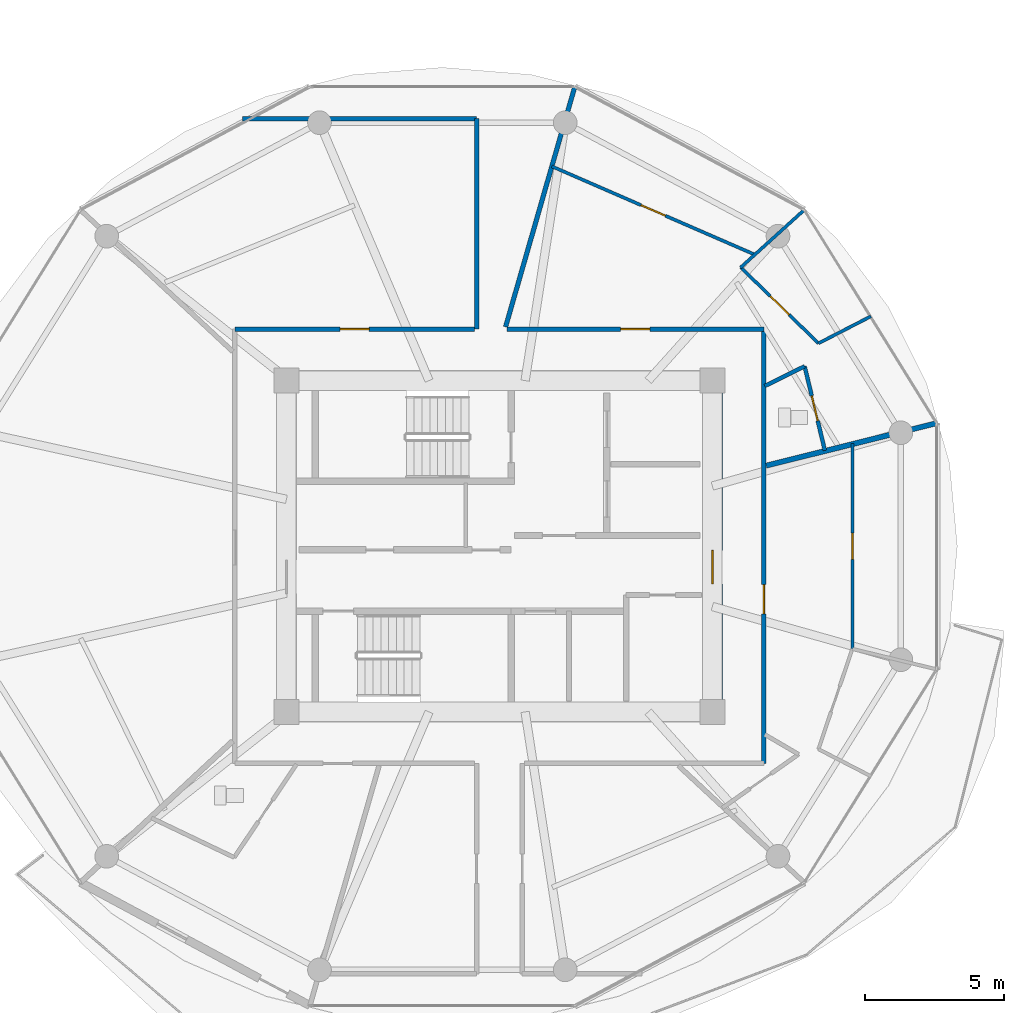
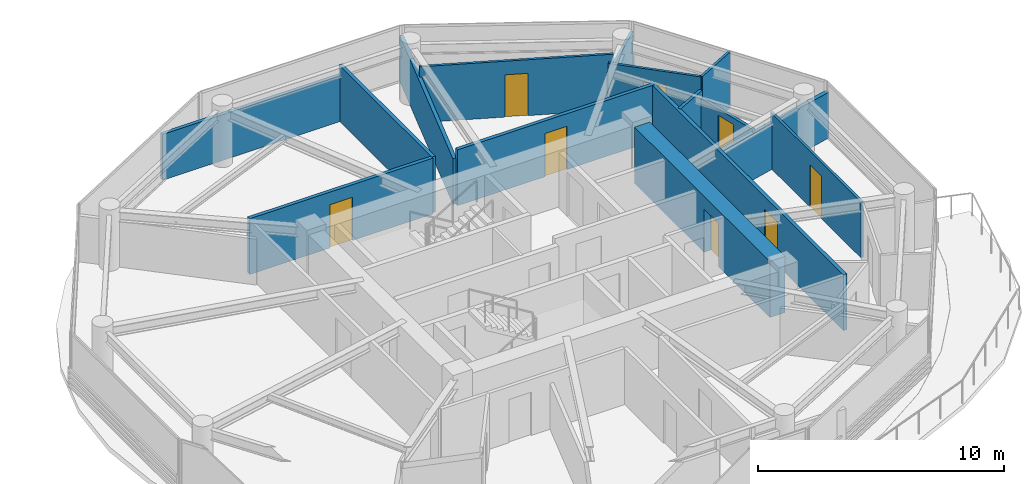
# One storey, part 17 of 25: 15 walls, 8 doors, 8 openings.
"""IFC4 building model written with IfcOpenShell, lengths in metres."""

from ifc_helpers import new_model, si_unit, direction, frame, frame_2d, origin, place, context, subcontext, project, spatial, rectangle, extrude, source, transform, mapped, material, layer, layer_set, type_object, type_shapes, element, fill, save


model = new_model("IFC4")

# Units and contexts
model_context = context("Model", 3, precision=1e-05, world=origin(), true_north=direction((0.0, 1.0)))
body_context = subcontext(model_context, "Body", "Model", "MODEL_VIEW")
ifc_project = project(units=[si_unit("LENGTHUNIT", "METRE"), si_unit("AREAUNIT", "SQUARE_METRE"), si_unit("VOLUMEUNIT", "CUBIC_METRE"), si_unit("PLANEANGLEUNIT", "RADIAN"), si_unit("MASSUNIT", "GRAM", prefix="KILO")], contexts=[model_context])

# Site, building, storey
site_placement = place(None, origin())
site = spatial("IfcSite", under=ifc_project, at=site_placement, CompositionType="ELEMENT")
building_placement = place(site_placement, origin())
building = spatial("IfcBuilding", under=site, at=building_placement, Name="Norrkilde Senior Care Towers", CompositionType="ELEMENT")
storey_placement = place(building_placement, frame((0.0, 0.0, 84.050048828125)))
storey = spatial("IfcBuildingStorey", under=building, at=storey_placement, Name="L25", CompositionType="ELEMENT", Elevation=84.050048828125)

# Wall, opening, door
ifc_material_1 = material(Name="Concrete C60/75", Category="concrete")
ifc_layer_1 = layer(ifc_material_1, 0.719970703125)
ifc_layer_set_1 = layer_set([ifc_layer_1], Name="Concrete C60/75")
wall_type_1 = type_object("IfcWallType", Name="Core Shear Wall Z2 720", PredefinedType="SHEAR", material=ifc_layer_set_1)
shared_shape_1 = source(origin(), body_context, "Body", "SweptSolid", [
    extrude(rectangle(XDim=11.0, YDim=0.719970703125, at=frame_2d((5.5, 0.0))), origin(), (0.0, 0.0, 1.0), 2.7900390625),
])
type_shapes(wall_type_1, [shared_shape_1])
wall_1_placement = place(storey_placement, frame((35.64990234375, 5.5, 0.0), z_axis=(0.0, 0.0, 1.0), x_axis=(0.0, -1.0, 0.0)))
wall_1 = element("IfcWall", 1, at=wall_1_placement, inside=storey, type_object=wall_type_1, Name="L25 Core E East Shear Wall", PredefinedType="SHEAR", context=body_context, shape_type="MappedRepresentation", body=[
    mapped(shared_shape_1, transform((0.0, 0.0, 0.0), x_axis=(1.0, 0.0, 0.0), y_axis=(0.0, 1.0, 0.0), z_axis=(0.0, 0.0, 1.0), scale=1.0)),
])
opening_1_placement = place(wall_1_placement, frame((5.64990234375, 0.0, 0.0)))
opening_1 = element("IfcOpeningElement", 2, at=opening_1_placement, cuts=wall_1, Name="Opening D-04", PredefinedType="OPENING", context=body_context, shape_type="SweptSolid", body=[
    extrude(rectangle(XDim=1.199951171875, YDim=2.14990234375, at=frame_2d((0.60009765625, 1.074951171875))), frame((0.0, 0.369873046875, 0.0), z_axis=(0.0, -1.0, 0.0), x_axis=(1.0, 0.0, 0.0)), (0.0, 0.0, 1.0), 0.739990234375),
])
ifc_material_2 = material(Name="Galvanised Painted Steel", Category="steel")
door_type_1 = type_object("IfcDoorType", Name="Firefighting Lobby Fire Door 1200x2150", OperationType="NOTDEFINED", PredefinedType="DOOR", material=ifc_material_2)
shared_shape_2 = source(origin(), body_context, "Body", "SweptSolid", [
    extrude(rectangle(XDim=1.199951171875, YDim=2.14990234375, at=frame_2d((0.60009765625, 1.074951171875))), frame((0.0, 0.02490234375, 0.0), z_axis=(0.0, -1.0, 0.0), x_axis=(1.0, 0.0, 0.0)), (0.0, 0.0, 1.0), 0.050048828125),
])
type_shapes(door_type_1, [shared_shape_2])
door_1_placement = place(opening_1_placement, frame((1.199951171875, 0.0, 0.0), z_axis=(0.0, 0.0, 1.0), x_axis=(-1.0, 0.0, 0.0)))
door_1 = element("IfcDoor", 3, at=door_1_placement, inside=storey, type_object=door_type_1, Name="L25 Core E East Portal Door", OperationType="SINGLE_SWING_RIGHT", OverallHeight=2.14990234375, OverallWidth=1.199951171875, PredefinedType="DOOR", context=body_context, shape_type="MappedRepresentation", body=[
    mapped(shared_shape_2, transform((0.0, 0.0, 0.0), x_axis=(1.0, 0.0, 0.0), y_axis=(0.0, 1.0, 0.0), z_axis=(0.0, 0.0, 1.0), scale=1.0)),
])
fill(opening_1, door_1)

ifc_material_3 = material(Name="Gypsum Acoustic Board")
ifc_layer_2 = layer(ifc_material_3, 0.1650390625)
ifc_layer_set_2 = layer_set([ifc_layer_2], Name="Gypsum Acoustic Board")
wall_type_2 = type_object("IfcWallType", Name="Corridor Rated Partition 165", PredefinedType="PARTITIONING", material=ifc_layer_set_2)
shared_shape_3 = source(origin(), body_context, "Body", "SweptSolid", [
    extrude(rectangle(XDim=15.60009765625, YDim=0.1650390625, at=frame_2d((7.800048828125, 0.0))), origin(), (0.0, 0.0, 1.0), 2.77490234375),
])
wall_2_placement = place(storey_placement, frame((37.5, 7.800048828125, 0.0), z_axis=(0.0, 0.0, 1.0), x_axis=(0.0, -1.0, 0.0)))
wall_2 = element("IfcWall", 4, at=wall_2_placement, inside=storey, type_object=wall_type_2, Name="WL-INT-L25-E-CRW-E-0", PredefinedType="PARTITIONING", context=body_context, shape_type="MappedRepresentation", body=[
    mapped(shared_shape_3, transform((0.0, 0.0, 0.0), x_axis=(1.0, 0.0, 0.0), y_axis=(0.0, 1.0, 0.0), z_axis=(0.0, 0.0, 1.0), scale=1.0)),
])
opening_2_placement = place(wall_2_placement, frame((9.177001953125, 0.0, 0.0)))
opening_2 = element("IfcOpeningElement", 5, at=opening_2_placement, cuts=wall_2, Name="Opening D-06", PredefinedType="OPENING", context=body_context, shape_type="SweptSolid", body=[
    extrude(rectangle(XDim=1.050048828125, YDim=2.14990234375, at=frame_2d((0.52490234375, 1.074951171875))), frame((0.0, 0.092529296875, 0.0), z_axis=(0.0, -1.0, 0.0), x_axis=(1.0, 0.0, 0.0)), (0.0, 0.0, 1.0), 0.18505859375),
])
ifc_material_4 = material(Name="Nordic Ash Timber", Category="wood")
door_type_2 = type_object("IfcDoorType", Name="Apartment Entrance Fire Door 1050x2150", OperationType="NOTDEFINED", PredefinedType="DOOR", material=ifc_material_4)
shared_shape_4 = source(origin(), body_context, "Body", "SweptSolid", [
    extrude(rectangle(XDim=1.050048828125, YDim=2.14990234375, at=frame_2d((0.52490234375, 1.074951171875))), frame((0.0, 0.02490234375, 0.0), z_axis=(0.0, -1.0, 0.0), x_axis=(1.0, 0.0, 0.0)), (0.0, 0.0, 1.0), 0.050048828125),
])
type_shapes(door_type_2, [shared_shape_4])
door_2_placement = place(opening_2_placement, frame((1.050048828125, 0.0, 0.0), z_axis=(0.0, 0.0, 1.0), x_axis=(-1.0, 0.0, 0.0)))
door_2 = element("IfcDoor", 6, at=door_2_placement, inside=storey, type_object=door_type_2, Name="Apartment 25C Entrance Door", OperationType="SINGLE_SWING_LEFT", OverallHeight=2.14990234375, OverallWidth=1.050048828125, PredefinedType="DOOR", context=body_context, shape_type="MappedRepresentation", body=[
    mapped(shared_shape_4, transform((0.0, 0.0, 0.0), x_axis=(1.0, 0.0, 0.0), y_axis=(0.0, 1.0, 0.0), z_axis=(0.0, 0.0, 1.0), scale=1.0)),
])
fill(opening_2, door_2)

shared_shape_5 = source(origin(), body_context, "Body", "SweptSolid", [
    extrude(rectangle(XDim=8.60009765625, YDim=0.1650390625, at=frame_2d((4.300048828125, 0.0))), origin(), (0.0, 0.0, 1.0), 2.77490234375),
])
wall_3_placement = place(storey_placement, frame((18.5, 7.800048828125, 0.0), z_axis=(0.0, 0.0, 1.0), x_axis=(1.0, 0.0, 0.0)))
wall_3 = element("IfcWall", 7, at=wall_3_placement, inside=storey, type_object=wall_type_2, Name="WL-INT-L25-E-CRW-N-0", PredefinedType="PARTITIONING", context=body_context, shape_type="MappedRepresentation", body=[
    mapped(shared_shape_5, transform((0.0, 0.0, 0.0), x_axis=(1.0, 0.0, 0.0), y_axis=(0.0, 1.0, 0.0), z_axis=(0.0, 0.0, 1.0), scale=1.0)),
])
opening_3_placement = place(wall_3_placement, frame((3.77490234375, 0.0, 0.0)))
opening_3 = element("IfcOpeningElement", 8, at=opening_3_placement, cuts=wall_3, Name="Opening D-06", PredefinedType="OPENING", context=body_context, shape_type="SweptSolid", body=[
    extrude(rectangle(XDim=1.050048828125, YDim=2.14990234375, at=frame_2d((0.52490234375, 1.074951171875))), frame((0.0, 0.092529296875, 0.0), z_axis=(0.0, -1.0, 0.0), x_axis=(1.0, 0.0, 0.0)), (0.0, 0.0, 1.0), 0.18505859375),
])
door_3_placement = place(opening_3_placement, frame((1.050048828125, 0.0, 0.0), z_axis=(0.0, 0.0, 1.0), x_axis=(-1.0, 0.0, 0.0)))
door_3 = element("IfcDoor", 9, at=door_3_placement, inside=storey, type_object=door_type_2, Name="L25 Reading Lounge NWL Door", OperationType="SINGLE_SWING_RIGHT", OverallHeight=2.14990234375, OverallWidth=1.050048828125, PredefinedType="DOOR", context=body_context, shape_type="MappedRepresentation", body=[
    mapped(shared_shape_4, transform((0.0, 0.0, 0.0), x_axis=(1.0, 0.0, 0.0), y_axis=(0.0, 1.0, 0.0), z_axis=(0.0, 0.0, 1.0), scale=1.0)),
])
fill(opening_3, door_3)

shared_shape_6 = source(origin(), body_context, "Body", "SweptSolid", [
    extrude(rectangle(XDim=9.234130859375, YDim=0.1650390625, at=frame_2d((4.6171875, 0.0))), origin(), (0.0, 0.0, 1.0), 2.77490234375),
])
wall_4_placement = place(storey_placement, frame((28.265869140625, 7.800048828125, 0.0), z_axis=(0.0, 0.0, 1.0), x_axis=(1.0, 0.0, 0.0)))
wall_4 = element("IfcWall", 10, at=wall_4_placement, inside=storey, type_object=wall_type_2, Name="WL-INT-L25-E-CRW-N-1", PredefinedType="PARTITIONING", context=body_context, shape_type="MappedRepresentation", body=[
    mapped(shared_shape_6, transform((0.0, 0.0, 0.0), x_axis=(1.0, 0.0, 0.0), y_axis=(0.0, 1.0, 0.0), z_axis=(0.0, 0.0, 1.0), scale=1.0)),
])
opening_4_placement = place(wall_4_placement, frame((4.092041015625, 0.0, 0.0)))
opening_4 = element("IfcOpeningElement", 11, at=opening_4_placement, cuts=wall_4, Name="Opening D-06", PredefinedType="OPENING", context=body_context, shape_type="SweptSolid", body=[
    extrude(rectangle(XDim=1.050048828125, YDim=2.14990234375, at=frame_2d((0.52490234375, 1.074951171875))), frame((0.0, 0.092529296875, 0.0), z_axis=(0.0, -1.0, 0.0), x_axis=(1.0, 0.0, 0.0)), (0.0, 0.0, 1.0), 0.18505859375),
])
door_4_placement = place(opening_4_placement, frame((1.050048828125, 0.0, 0.0), z_axis=(0.0, 0.0, 1.0), x_axis=(-1.0, 0.0, 0.0)))
door_4 = element("IfcDoor", 12, at=door_4_placement, inside=storey, type_object=door_type_2, Name="Apartment 25D Entrance Door", OperationType="SINGLE_SWING_LEFT", OverallHeight=2.14990234375, OverallWidth=1.050048828125, PredefinedType="DOOR", context=body_context, shape_type="MappedRepresentation", body=[
    mapped(shared_shape_4, transform((0.0, 0.0, 0.0), x_axis=(1.0, 0.0, 0.0), y_axis=(0.0, 1.0, 0.0), z_axis=(0.0, 0.0, 1.0), scale=1.0)),
])
fill(opening_4, door_4)

# Walls
shared_shape_7 = source(origin(), body_context, "Body", "SweptSolid", [
    extrude(rectangle(XDim=8.9892578125, YDim=0.1650390625, at=frame_2d((4.49462890625, 0.0))), origin(), (0.0, 0.0, 1.0), 2.27490234375),
])
wall_5_placement = place(storey_placement, frame((28.221923828125, 7.8798828125, 0.0), z_axis=(0.0, 0.0, 1.0), x_axis=(0.27702323008, 0.960863221274, 0.0)))
element("IfcWall", 13, at=wall_5_placement, inside=storey, type_object=wall_type_2, Name="WL-INT-L25-E-DEM-02-0", PredefinedType="PARTITIONING", context=body_context, shape_type="MappedRepresentation", body=[
    mapped(shared_shape_7, transform((0.0, 0.0, 0.0), x_axis=(1.0, 0.0, 0.0), y_axis=(0.0, 1.0, 0.0), z_axis=(0.0, 0.0, 1.0), scale=1.0)),
])
shared_shape_8 = source(origin(), body_context, "Body", "SweptSolid", [
    extrude(rectangle(XDim=7.56005859375, YDim=0.1650390625, at=frame_2d((3.780029296875, 0.0))), origin(), (0.0, 0.0, 1.0), 2.77490234375),
])
wall_6_placement = place(storey_placement, frame((27.179931640625, 7.800048828125, 0.0), z_axis=(0.0, 0.0, 1.0), x_axis=(0.0, 1.0, 0.0)))
element("IfcWall", 14, at=wall_6_placement, inside=storey, type_object=wall_type_2, Name="WL-INT-L25-E-PKW-NWL", PredefinedType="PARTITIONING", context=body_context, shape_type="MappedRepresentation", body=[
    mapped(shared_shape_8, transform((0.0, 0.0, 0.0), x_axis=(1.0, 0.0, 0.0), y_axis=(0.0, 1.0, 0.0), z_axis=(0.0, 0.0, 1.0), scale=1.0)),
])
shared_shape_9 = source(origin(), body_context, "Body", "SweptSolid", [
    extrude(rectangle(XDim=8.406982421875, YDim=0.1650390625, at=frame_2d((4.20361328125, 0.0))), origin(), (0.0, 0.0, 1.0), 2.27490234375),
])
type_shapes(wall_type_2, [shared_shape_3, shared_shape_5, shared_shape_6, shared_shape_7, shared_shape_8, shared_shape_9])
wall_7_placement = place(storey_placement, frame((18.77294921875, 15.360107421875, 0.0), z_axis=(0.0, 0.0, 1.0), x_axis=(1.0, 0.0, 0.0)))
element("IfcWall", 15, at=wall_7_placement, inside=storey, type_object=wall_type_2, Name="WL-INT-L25-E-PKH-NWL-0", PredefinedType="PARTITIONING", context=body_context, shape_type="MappedRepresentation", body=[
    mapped(shared_shape_9, transform((0.0, 0.0, 0.0), x_axis=(1.0, 0.0, 0.0), y_axis=(0.0, 1.0, 0.0), z_axis=(0.0, 0.0, 1.0), scale=1.0)),
])
ifc_layer_3 = layer(ifc_material_3, 0.18994140625)
ifc_layer_set_3 = layer_set([ifc_layer_3], Name="Gypsum Acoustic Board")
wall_type_3 = type_object("IfcWallType", Name="Unit Demising Acoustic Wall 190", PredefinedType="PARTITIONING", material=ifc_layer_set_3)
shared_shape_10 = source(origin(), body_context, "Body", "SweptSolid", [
    extrude(rectangle(XDim=6.33056640625, YDim=0.18994140625, at=frame_2d((3.165283203125, 0.0))), origin(), (0.0, 0.0, 1.0), 2.27490234375),
])
type_shapes(wall_type_3, [shared_shape_10])
wall_8_placement = place(storey_placement, frame((37.580078125, 2.89599609375, 0.0), z_axis=(0.0, 0.0, 1.0), x_axis=(0.97036440661, 0.241646267062, 0.0)))
element("IfcWall", 16, at=wall_8_placement, inside=storey, type_object=wall_type_3, Name="WL-INT-L25-E-DEM-00-0", PredefinedType="PARTITIONING", context=body_context, shape_type="MappedRepresentation", body=[
    mapped(shared_shape_10, transform((0.0, 0.0, 0.0), x_axis=(1.0, 0.0, 0.0), y_axis=(0.0, 1.0, 0.0), z_axis=(0.0, 0.0, 1.0), scale=1.0)),
])

# Wall, opening, door
ifc_layer_4 = layer(ifc_material_3, 0.114990234375)
ifc_layer_set_4 = layer_set([ifc_layer_4], Name="Gypsum Acoustic Board")
wall_type_4 = type_object("IfcWallType", Name="Internal Room Partition 115", PredefinedType="PARTITIONING", material=ifc_layer_set_4)
shared_shape_11 = source(origin(), body_context, "Body", "SweptSolid", [
    extrude(rectangle(XDim=7.37548828125, YDim=0.114990234375, at=frame_2d((3.687744140625, 0.0))), origin(), (0.0, 0.0, 1.0), 2.77490234375),
])
wall_9_placement = place(storey_placement, frame((40.677978515625, -3.687744140625, 0.0), z_axis=(0.0, 0.0, 1.0), x_axis=(0.0, 1.0, 0.0)))
wall_9 = element("IfcWall", 17, at=wall_9_placement, inside=storey, type_object=wall_type_4, Name="WL-INT-L25-E-UBC-10-1", PredefinedType="PARTITIONING", context=body_context, shape_type="MappedRepresentation", body=[
    mapped(shared_shape_11, transform((0.0, 0.0, 0.0), x_axis=(1.0, 0.0, 0.0), y_axis=(0.0, 1.0, 0.0), z_axis=(0.0, 0.0, 1.0), scale=1.0)),
])
opening_5_placement = place(wall_9_placement, frame((3.212646484375, 0.0, 0.0)))
opening_5 = element("IfcOpeningElement", 18, at=opening_5_placement, cuts=wall_9, Name="Opening D-07", PredefinedType="OPENING", context=body_context, shape_type="SweptSolid", body=[
    extrude(rectangle(XDim=0.949951171875, YDim=2.10009765625, at=frame_2d((0.47509765625, 1.050048828125))), frame((0.0, 0.0673828125, 0.0), z_axis=(0.0, -1.0, 0.0), x_axis=(1.0, 0.0, 0.0)), (0.0, 0.0, 1.0), 0.135009765625),
])
door_type_3 = type_object("IfcDoorType", Name="Internal Suite Bedroom Door 950x2100", OperationType="NOTDEFINED", PredefinedType="DOOR", material=ifc_material_4)
shared_shape_12 = source(origin(), body_context, "Body", "SweptSolid", [
    extrude(rectangle(XDim=0.949951171875, YDim=2.10009765625, at=frame_2d((0.47509765625, 1.050048828125))), frame((0.0, 0.02490234375, 0.0), z_axis=(0.0, -1.0, 0.0), x_axis=(1.0, 0.0, 0.0)), (0.0, 0.0, 1.0), 0.050048828125),
])
type_shapes(door_type_3, [shared_shape_12])
door_5_placement = place(opening_5_placement, origin())
door_5 = element("IfcDoor", 19, at=door_5_placement, inside=storey, type_object=door_type_3, Name="Apartment 25C Bedroom 1 Door", OperationType="SINGLE_SWING_RIGHT", OverallHeight=2.10009765625, OverallWidth=0.949951171875, PredefinedType="DOOR", context=body_context, shape_type="MappedRepresentation", body=[
    mapped(shared_shape_12, transform((0.0, 0.0, 0.0), x_axis=(1.0, 0.0, 0.0), y_axis=(0.0, 1.0, 0.0), z_axis=(0.0, 0.0, 1.0), scale=1.0)),
])
fill(opening_5, door_5)

# Wall
shared_shape_13 = source(origin(), body_context, "Body", "SweptSolid", [
    extrude(rectangle(XDim=2.1171875, YDim=0.114990234375, at=frame_2d((1.05859375, 0.0))), origin(), (0.0, 0.0, 1.0), 2.77490234375),
])
wall_10_placement = place(storey_placement, frame((39.459716796875, 7.288818359375, 0.0), z_axis=(0.0, 0.0, 1.0), x_axis=(0.888941834945, 0.45802010227, 0.0)))
element("IfcWall", 20, at=wall_10_placement, inside=storey, type_object=wall_type_4, Name="WL-INT-L25-E-UKTS-00", PredefinedType="PARTITIONING", context=body_context, shape_type="MappedRepresentation", body=[
    mapped(shared_shape_13, transform((0.0, 0.0, 0.0), x_axis=(1.0, 0.0, 0.0), y_axis=(0.0, 1.0, 0.0), z_axis=(0.0, 0.0, 1.0), scale=1.0)),
])

# Wall, opening, door
shared_shape_14 = source(origin(), body_context, "Body", "SweptSolid", [
    extrude(rectangle(XDim=7.937744140625, YDim=0.114990234375, at=frame_2d((3.96875, 0.0))), origin(), (0.0, 0.0, 1.0), 2.77490234375),
])
wall_11_placement = place(storey_placement, frame((37.164306640625, 10.4794921875, 0.0), z_axis=(0.0, 0.0, 1.0), x_axis=(-0.917052940979, 0.398765474235, 0.0)))
wall_11 = element("IfcWall", 21, at=wall_11_placement, inside=storey, type_object=wall_type_4, Name="WL-INT-L25-E-UBC-00-1", PredefinedType="PARTITIONING", context=body_context, shape_type="MappedRepresentation", body=[
    mapped(shared_shape_14, transform((0.0, 0.0, 0.0), x_axis=(1.0, 0.0, 0.0), y_axis=(0.0, 1.0, 0.0), z_axis=(0.0, 0.0, 1.0), scale=1.0)),
])
opening_6_placement = place(wall_11_placement, frame((3.493896484375, 0.0, 0.0)))
opening_6 = element("IfcOpeningElement", 22, at=opening_6_placement, cuts=wall_11, Name="Opening D-07", PredefinedType="OPENING", context=body_context, shape_type="SweptSolid", body=[
    extrude(rectangle(XDim=0.949951171875, YDim=2.10009765625, at=frame_2d((0.47509765625, 1.050048828125))), frame((0.0, 0.0673828125, 0.0), z_axis=(0.0, -1.0, 0.0), x_axis=(1.0, 0.0, 0.0)), (0.0, 0.0, 1.0), 0.135009765625),
])
door_6_placement = place(opening_6_placement, origin())
door_6 = element("IfcDoor", 23, at=door_6_placement, inside=storey, type_object=door_type_3, Name="Apartment 25D Bedroom 1 Door", OperationType="SINGLE_SWING_RIGHT", OverallHeight=2.10009765625, OverallWidth=0.949951171875, PredefinedType="DOOR", context=body_context, shape_type="MappedRepresentation", body=[
    mapped(shared_shape_12, transform((0.0, 0.0, 0.0), x_axis=(1.0, 0.0, 0.0), y_axis=(0.0, 1.0, 0.0), z_axis=(0.0, 0.0, 1.0), scale=1.0)),
])
fill(opening_6, door_6)

# Walls
shared_shape_15 = source(origin(), body_context, "Body", "SweptSolid", [
    extrude(rectangle(XDim=3.101806640625, YDim=0.114990234375, at=frame_2d((1.55078125, 0.0))), origin(), (0.0, 0.0, 1.0), 2.27490234375),
])
wall_12_placement = place(storey_placement, frame((36.661376953125, 10.009521484375, 0.0), z_axis=(0.0, 0.0, 1.0), x_axis=(0.741263481794, 0.671214161471, 0.0)))
element("IfcWall", 24, at=wall_12_placement, inside=storey, type_object=wall_type_4, Name="WL-INT-L25-E-UBR-00-1", PredefinedType="PARTITIONING", context=body_context, shape_type="MappedRepresentation", body=[
    mapped(shared_shape_15, transform((0.0, 0.0, 0.0), x_axis=(1.0, 0.0, 0.0), y_axis=(0.0, 1.0, 0.0), z_axis=(0.0, 0.0, 1.0), scale=1.0)),
])
ifc_layer_5 = layer(ifc_material_3, 0.139892578125)
ifc_layer_set_5 = layer_set([ifc_layer_5], Name="Gypsum Acoustic Board")
wall_type_5 = type_object("IfcWallType", Name="En-suite Wet Room Wall 140", PredefinedType="PARTITIONING", material=ifc_layer_set_5)
shared_shape_16 = source(origin(), body_context, "Body", "SweptSolid", [
    extrude(rectangle(XDim=1.600341796875, YDim=0.139892578125, at=frame_2d((0.80029296875, 0.0))), origin(), (0.0, 0.0, 1.0), 2.77490234375),
])
wall_13_placement = place(storey_placement, frame((37.530029296875, 5.753662109375, 0.0), z_axis=(0.0, 0.0, 1.0), x_axis=(0.895522919837, 0.445015393044, 0.0)))
element("IfcWall", 25, at=wall_13_placement, inside=storey, type_object=wall_type_5, Name="WL-INT-L25-E-UBTS-00", PredefinedType="PARTITIONING", context=body_context, shape_type="MappedRepresentation", body=[
    mapped(shared_shape_16, transform((0.0, 0.0, 0.0), x_axis=(1.0, 0.0, 0.0), y_axis=(0.0, 1.0, 0.0), z_axis=(0.0, 0.0, 1.0), scale=1.0)),
])

# Wall, opening, door
shared_shape_17 = source(origin(), body_context, "Body", "SweptSolid", [
    extrude(rectangle(XDim=3.111572265625, YDim=0.139892578125, at=frame_2d((1.5556640625, 0.0))), origin(), (0.0, 0.0, 1.0), 2.4150390625),
])
type_shapes(wall_type_5, [shared_shape_16, shared_shape_17])
wall_14_placement = place(storey_placement, frame((38.963134765625, 6.4658203125, 0.0), z_axis=(0.0, 0.0, 1.0), x_axis=(0.233737944029, -0.972299631555, 0.0)))
wall_14 = element("IfcWall", 26, at=wall_14_placement, inside=storey, type_object=wall_type_5, Name="WL-INT-L25-E-UBTF-00", PredefinedType="PARTITIONING", context=body_context, shape_type="MappedRepresentation", body=[
    mapped(shared_shape_17, transform((0.0, 0.0, 0.0), x_axis=(1.0, 0.0, 0.0), y_axis=(0.0, 1.0, 0.0), z_axis=(0.0, 0.0, 1.0), scale=1.0)),
])
opening_7_placement = place(wall_14_placement, frame((1.095703125, 0.0, 0.0)))
opening_7 = element("IfcOpeningElement", 27, at=opening_7_placement, cuts=wall_14, Name="Opening D-08", PredefinedType="OPENING", context=body_context, shape_type="SweptSolid", body=[
    extrude(rectangle(XDim=0.919921875, YDim=2.10009765625, at=frame_2d((0.4599609375, 1.050048828125))), frame((0.0, 0.079833984375, 0.0), z_axis=(0.0, -1.0, 0.0), x_axis=(1.0, 0.0, 0.0)), (0.0, 0.0, 1.0), 0.159912109375),
])
door_type_4 = type_object("IfcDoorType", Name="Accessible Wet Room Door 920x2100", OperationType="NOTDEFINED", PredefinedType="DOOR", material=ifc_material_4)
shared_shape_18 = source(origin(), body_context, "Body", "SweptSolid", [
    extrude(rectangle(XDim=0.919921875, YDim=2.10009765625, at=frame_2d((0.4599609375, 1.050048828125))), frame((0.0, 0.02490234375, 0.0), z_axis=(0.0, -1.0, 0.0), x_axis=(1.0, 0.0, 0.0)), (0.0, 0.0, 1.0), 0.050048828125),
])
type_shapes(door_type_4, [shared_shape_18])
door_7_placement = place(opening_7_placement, origin())
door_7 = element("IfcDoor", 28, at=door_7_placement, inside=storey, type_object=door_type_4, Name="Apartment 25D Bathroom Door", OperationType="SINGLE_SWING_RIGHT", OverallHeight=2.10009765625, OverallWidth=0.919921875, PredefinedType="DOOR", context=body_context, shape_type="MappedRepresentation", body=[
    mapped(shared_shape_18, transform((0.0, 0.0, 0.0), x_axis=(1.0, 0.0, 0.0), y_axis=(0.0, 1.0, 0.0), z_axis=(0.0, 0.0, 1.0), scale=1.0)),
])
fill(opening_7, door_7)

shared_shape_19 = source(origin(), body_context, "Body", "SweptSolid", [
    extrude(rectangle(XDim=3.90234375, YDim=0.114990234375, at=frame_2d((1.951171875, 0.0))), origin(), (0.0, 0.0, 1.0), 2.77490234375),
])
type_shapes(wall_type_4, [shared_shape_11, shared_shape_13, shared_shape_14, shared_shape_15, shared_shape_19])
wall_15_placement = place(storey_placement, frame((39.459716796875, 7.288818359375, 0.0), z_axis=(0.0, 0.0, 1.0), x_axis=(-0.714853061854, 0.699274695637, 0.0)))
wall_15 = element("IfcWall", 29, at=wall_15_placement, inside=storey, type_object=wall_type_4, Name="WL-INT-L25-E-UKTF-00", PredefinedType="PARTITIONING", context=body_context, shape_type="MappedRepresentation", body=[
    mapped(shared_shape_19, transform((0.0, 0.0, 0.0), x_axis=(1.0, 0.0, 0.0), y_axis=(0.0, 1.0, 0.0), z_axis=(0.0, 0.0, 1.0), scale=1.0)),
])
opening_8_placement = place(wall_15_placement, frame((1.476318359375, 0.0, 0.0)))
opening_8 = element("IfcOpeningElement", 30, at=opening_8_placement, cuts=wall_15, Name="Opening D-07", PredefinedType="OPENING", context=body_context, shape_type="SweptSolid", body=[
    extrude(rectangle(XDim=0.949951171875, YDim=2.10009765625, at=frame_2d((0.47509765625, 1.050048828125))), frame((0.0, 0.0673828125, 0.0), z_axis=(0.0, -1.0, 0.0), x_axis=(1.0, 0.0, 0.0)), (0.0, 0.0, 1.0), 0.135009765625),
])
door_8_placement = place(opening_8_placement, frame((0.949951171875, 0.0, 0.0), z_axis=(0.0, 0.0, 1.0), x_axis=(-1.0, 0.0, 0.0)))
door_8 = element("IfcDoor", 31, at=door_8_placement, inside=storey, type_object=door_type_3, Name="Apartment 25D Kitchen Door", OperationType="SINGLE_SWING_LEFT", OverallHeight=2.10009765625, OverallWidth=0.949951171875, PredefinedType="DOOR", context=body_context, shape_type="MappedRepresentation", body=[
    mapped(shared_shape_12, transform((0.0, 0.0, 0.0), x_axis=(1.0, 0.0, 0.0), y_axis=(0.0, 1.0, 0.0), z_axis=(0.0, 0.0, 1.0), scale=1.0)),
])
fill(opening_8, door_8)

save(model, "model.ifc")
